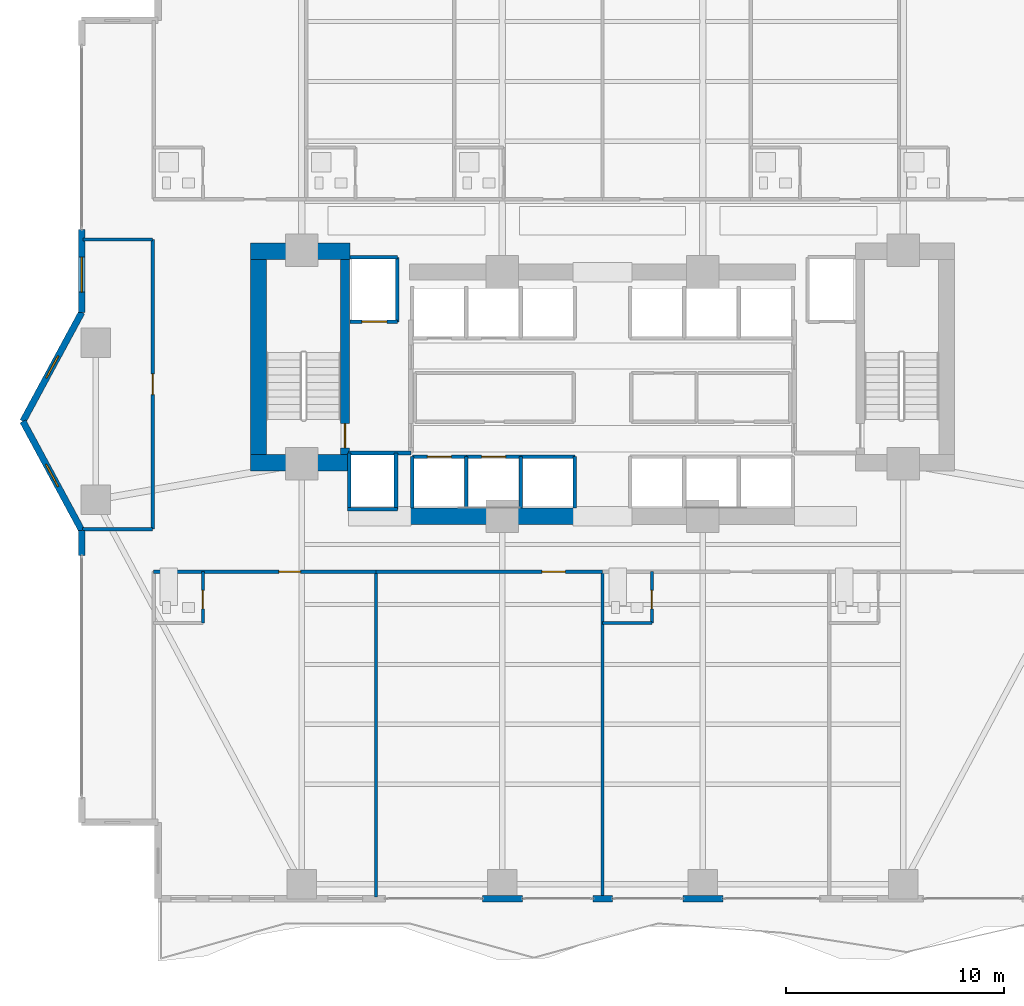
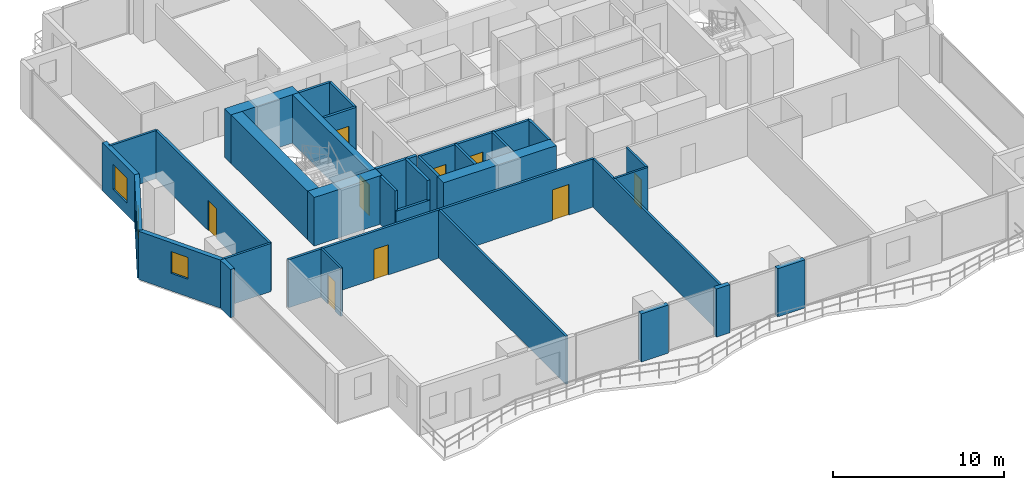
# One storey, part 21 of 30: 36 walls, 9 doors, 3 windows, 12 openings.
"""IFC4 building model written with IfcOpenShell, lengths in metres."""

from ifc_helpers import new_model, si_unit, direction, frame, frame_2d, origin, place, context, subcontext, project, spatial, rectangle, extrude, material, layer, layer_set, type_object, element, fill, save


model = new_model("IFC4")

# Units and contexts
model_context = context("Model", 3, precision=1e-05, world=origin(), true_north=direction((0.0, 1.0)))
body_context = subcontext(model_context, "Body", "Model", "MODEL_VIEW")
ifc_project = project(units=[si_unit("LENGTHUNIT", "METRE"), si_unit("AREAUNIT", "SQUARE_METRE"), si_unit("VOLUMEUNIT", "CUBIC_METRE"), si_unit("PLANEANGLEUNIT", "RADIAN"), si_unit("MASSUNIT", "GRAM", prefix="KILO")], contexts=[model_context])

# Site, building, storey
site_placement = place(None, origin())
site = spatial("IfcSite", under=ifc_project, at=site_placement, CompositionType="ELEMENT")
building_placement = place(site_placement, origin())
building = spatial("IfcBuilding", under=site, at=building_placement, Name="Zuhayl Quay Hotel", CompositionType="ELEMENT")
storey_placement = place(building_placement, frame((0.0, 0.0, 135.800048828125)))
storey = spatial("IfcBuildingStorey", under=building, at=storey_placement, Name="L34", CompositionType="ELEMENT", Elevation=135.800048828125)

# Walls
ifc_material_1 = material(Name="Concrete C60/75", Category="concrete")
ifc_layer_1 = layer(ifc_material_1, 0.75, Name="Concrete C60/75", Category="concrete")
ifc_layer_set_1 = layer_set([ifc_layer_1], Name="Concrete C60/75")
wall_type_1 = type_object("IfcWallType", Name="WL_CORE_750", PredefinedType="SHEAR", material=ifc_layer_set_1)
wall_1_placement = place(storey_placement, frame((-16.159912109375, 14.304931640625, 0.0), z_axis=(0.0, 0.0, 1.0), x_axis=(1.0, 0.0, 0.0)))
element("IfcWall", 1, at=wall_1_placement, inside=storey, type_object=wall_type_1, Name="L34 Core Shear Wall CW_NW", PredefinedType="SHEAR", context=body_context, shape_type="SweptSolid", body=[
    extrude(rectangle(XDim=4.559814453125, YDim=0.75, at=frame_2d((2.27978515625, 0.0))), origin(), (0.0, 0.0, 1.0), 3.4599609375),
])
wall_2_placement = place(storey_placement, frame((-15.784912109375, 4.969970703125, 0.0), z_axis=(0.0, 0.0, 1.0), x_axis=(0.0, 1.0, 0.0)))
element("IfcWall", 2, at=wall_2_placement, inside=storey, type_object=wall_type_1, Name="L34 Core Shear Wall CW_W", PredefinedType="SHEAR", context=body_context, shape_type="SweptSolid", body=[
    extrude(rectangle(XDim=8.9599609375, YDim=0.75, at=frame_2d((4.47998046875, 0.0))), origin(), (0.0, 0.0, 1.0), 3.4599609375),
])
wall_3_placement = place(storey_placement, frame((-16.159912109375, 4.594970703125, 0.0), z_axis=(0.0, 0.0, 1.0), x_axis=(1.0, 0.0, 0.0)))
element("IfcWall", 3, at=wall_3_placement, inside=storey, type_object=wall_type_1, Name="L34 Core Shear Wall CW_SW", PredefinedType="SHEAR", context=body_context, shape_type="SweptSolid", body=[
    extrude(rectangle(XDim=4.559814453125, YDim=0.75, at=frame_2d((2.27978515625, 0.0))), origin(), (0.0, 0.0, 1.0), 3.4599609375),
])
wall_4_placement = place(storey_placement, frame((-8.85009765625, 2.14990234375, 0.0), z_axis=(0.0, 0.0, 1.0), x_axis=(1.0, 0.0, 0.0)))
element("IfcWall", 4, at=wall_4_placement, inside=storey, type_object=wall_type_1, Name="L34 Core Shear Wall CW_SC_W", PredefinedType="SHEAR", context=body_context, shape_type="SweptSolid", body=[
    extrude(rectangle(XDim=7.60009765625, YDim=0.75, at=frame_2d((3.800048828125, 0.0))), origin(), (0.0, 0.0, 1.0), 3.429931640625),
])
ifc_material_2 = material(Name="Precast concrete C45/55", Category="concrete")
ifc_layer_2 = layer(ifc_material_2, 0.300048828125, Name="Precast concrete C45/55", Category="concrete")
ifc_layer_set_2 = layer_set([ifc_layer_2], Name="Precast concrete C45/55")
wall_type_2 = type_object("IfcWallType", Name="WL_EXT_300", PredefinedType="STANDARD", material=ifc_layer_set_2)
wall_5_placement = place(storey_placement, frame((-23.89990234375, 0.35009765625, 0.0), z_axis=(0.0, 0.0, 1.0), x_axis=(0.0, 1.0, 0.0)))
element("IfcWall", 5, at=wall_5_placement, inside=storey, type_object=wall_type_2, Name="L34 Exterior Precast Wall ENV_L34_E02_EW2", PredefinedType="STANDARD", context=body_context, shape_type="SweptSolid", body=[
    extrude(rectangle(XDim=1.14990234375, YDim=0.300048828125, at=frame_2d((0.574951171875, 0.0))), origin(), (0.0, 0.0, 1.0), 3.429931640625),
])

# Wall, opening, window
wall_6_placement = place(storey_placement, frame((-23.89990234375, 1.5, 0.0), z_axis=(0.0, 0.0, 1.0), x_axis=(-0.475175525499, 0.879891027325, 0.0)))
wall_6 = element("IfcWall", 6, at=wall_6_placement, inside=storey, type_object=wall_type_2, Name="L34 Exterior Precast Wall ENV_L34_EW03", PredefinedType="STANDARD", context=body_context, shape_type="SweptSolid", body=[
    extrude(rectangle(XDim=5.6826171875, YDim=0.300048828125, at=frame_2d((2.84130859375, 0.0))), origin(), (0.0, 0.0, 1.0), 3.429931640625),
])
opening_1_placement = place(wall_6_placement, frame((2.290283203125, 0.0, 1.25)))
opening_1 = element("IfcOpeningElement", 7, at=opening_1_placement, cuts=wall_6, Name="Opening W01N", PredefinedType="OPENING", context=body_context, shape_type="SweptSolid", body=[
    extrude(rectangle(XDim=1.14990234375, YDim=1.550048828125, at=frame_2d((0.574951171875, 0.77490234375))), frame((0.0, 0.159912109375, 0.0), z_axis=(0.0, -1.0, 0.0), x_axis=(1.0, 0.0, 0.0)), (0.0, 0.0, 1.0), 0.320068359375),
])
ifc_material_3 = material(Name="Dark Ceramic-Fritted Solar Glass", Category="glass")
window_type_1 = type_object("IfcWindowType", Name="WN_NOTCH_1350", PartitioningType="SINGLE_PANEL", PredefinedType="WINDOW", material=ifc_material_3)
window_1_placement = place(opening_1_placement, origin())
window_1 = element("IfcWindow", 8, at=window_1_placement, inside=storey, type_object=window_type_1, Name="L34 Corner Notch Window 3", OverallHeight=1.550048828125, OverallWidth=1.14990234375, PartitioningType="SINGLE_PANEL", PredefinedType="WINDOW", context=body_context, shape_type="SweptSolid", body=[
    extrude(rectangle(XDim=1.14990234375, YDim=1.550048828125, at=frame_2d((0.574951171875, 0.77490234375))), frame((0.0, 0.030029296875, 0.0), z_axis=(0.0, -1.0, 0.0), x_axis=(1.0, 0.0, 0.0)), (0.0, 0.0, 1.0), 0.06005859375),
])
fill(opening_1, window_1)

wall_7_placement = place(storey_placement, frame((-26.60009765625, 6.5, 0.0), z_axis=(0.0, 0.0, 1.0), x_axis=(0.475175525499, 0.879891027325, 0.0)))
wall_7 = element("IfcWall", 9, at=wall_7_placement, inside=storey, type_object=wall_type_2, Name="L34 Exterior Precast Wall ENV_L34_EW04", PredefinedType="STANDARD", context=body_context, shape_type="SweptSolid", body=[
    extrude(rectangle(XDim=5.6826171875, YDim=0.300048828125, at=frame_2d((2.84130859375, 0.0))), origin(), (0.0, 0.0, 1.0), 3.429931640625),
])
opening_2_placement = place(wall_7_placement, frame((2.26611328125, 0.0, 1.25)))
opening_2 = element("IfcOpeningElement", 10, at=opening_2_placement, cuts=wall_7, Name="Opening W01N", PredefinedType="OPENING", context=body_context, shape_type="SweptSolid", body=[
    extrude(rectangle(XDim=1.14990234375, YDim=1.550048828125, at=frame_2d((0.574951171875, 0.77490234375))), frame((0.0, 0.159912109375, 0.0), z_axis=(0.0, -1.0, 0.0), x_axis=(1.0, 0.0, 0.0)), (0.0, 0.0, 1.0), 0.320068359375),
])
window_2_placement = place(opening_2_placement, origin())
window_2 = element("IfcWindow", 11, at=window_2_placement, inside=storey, type_object=window_type_1, Name="L34 Corner Notch Window 4", OverallHeight=1.550048828125, OverallWidth=1.14990234375, PartitioningType="SINGLE_PANEL", PredefinedType="WINDOW", context=body_context, shape_type="SweptSolid", body=[
    extrude(rectangle(XDim=1.14990234375, YDim=1.550048828125, at=frame_2d((0.574951171875, 0.77490234375))), frame((0.0, 0.030029296875, 0.0), z_axis=(0.0, -1.0, 0.0), x_axis=(1.0, 0.0, 0.0)), (0.0, 0.0, 1.0), 0.06005859375),
])
fill(opening_2, window_2)

wall_8_placement = place(storey_placement, frame((-23.89990234375, 11.5, 0.0), z_axis=(0.0, 0.0, 1.0), x_axis=(0.0, 1.0, 0.0)))
wall_8 = element("IfcWall", 12, at=wall_8_placement, inside=storey, type_object=wall_type_2, Name="L34 Exterior Precast Wall ENV_L34_E05_EW1", PredefinedType="STANDARD", context=body_context, shape_type="SweptSolid", body=[
    extrude(rectangle(XDim=3.800048828125, YDim=0.300048828125, at=frame_2d((1.89990234375, 0.0))), origin(), (0.0, 0.0, 1.0), 3.429931640625),
])
opening_3_placement = place(wall_8_placement, frame((0.93505859375, 0.0, 0.85009765625)))
opening_3 = element("IfcOpeningElement", 13, at=opening_3_placement, cuts=wall_8, Name="Opening W01", PredefinedType="OPENING", context=body_context, shape_type="SweptSolid", body=[
    extrude(rectangle(XDim=1.60009765625, YDim=1.800048828125, at=frame_2d((0.800048828125, 0.89990234375))), frame((0.0, 0.159912109375, 0.0), z_axis=(0.0, -1.0, 0.0), x_axis=(1.0, 0.0, 0.0)), (0.0, 0.0, 1.0), 0.320068359375),
])
window_type_2 = type_object("IfcWindowType", Name="WN_OPERABLE_1600", PartitioningType="DOUBLE_PANEL_VERTICAL", PredefinedType="WINDOW", material=ifc_material_3)
window_3_placement = place(opening_3_placement, origin())
window_3 = element("IfcWindow", 14, at=window_3_placement, inside=storey, type_object=window_type_2, Name="L34 Operable Facade Window 1-1", OverallHeight=1.800048828125, OverallWidth=1.60009765625, PartitioningType="SINGLE_PANEL", PredefinedType="WINDOW", context=body_context, shape_type="SweptSolid", body=[
    extrude(rectangle(XDim=1.60009765625, YDim=1.800048828125, at=frame_2d((0.800048828125, 0.89990234375))), frame((0.0, 0.030029296875, 0.0), z_axis=(0.0, -1.0, 0.0), x_axis=(1.0, 0.0, 0.0)), (0.0, 0.0, 1.0), 0.06005859375),
])
fill(opening_3, window_3)

# Walls
wall_9_placement = place(storey_placement, frame((5.52001953125, -15.39990234375, 0.0), z_axis=(0.0, 0.0, 1.0), x_axis=(-1.0, 0.0, 0.0)))
element("IfcWall", 15, at=wall_9_placement, inside=storey, type_object=wall_type_2, Name="L34 Exterior Precast Wall ENV_L34_S_EW3", PredefinedType="STANDARD", context=body_context, shape_type="SweptSolid", body=[
    extrude(rectangle(XDim=1.840087890625, YDim=0.300048828125, at=frame_2d((0.919921875, 0.0))), origin(), (0.0, 0.0, 1.0), 3.429931640625),
])
wall_10_placement = place(storey_placement, frame((0.449951171875, -15.39990234375, 0.0), z_axis=(0.0, 0.0, 1.0), x_axis=(-1.0, 0.0, 0.0)))
element("IfcWall", 16, at=wall_10_placement, inside=storey, type_object=wall_type_2, Name="L34 Exterior Precast Wall ENV_L34_S_EW4", PredefinedType="STANDARD", context=body_context, shape_type="SweptSolid", body=[
    extrude(rectangle(XDim=0.89990234375, YDim=0.300048828125, at=frame_2d((0.449951171875, 0.0))), origin(), (0.0, 0.0, 1.0), 3.429931640625),
])
wall_11_placement = place(storey_placement, frame((-3.679931640625, -15.39990234375, 0.0), z_axis=(0.0, 0.0, 1.0), x_axis=(-1.0, 0.0, 0.0)))
element("IfcWall", 17, at=wall_11_placement, inside=storey, type_object=wall_type_2, Name="L34 Exterior Precast Wall ENV_L34_S_EW5", PredefinedType="STANDARD", context=body_context, shape_type="SweptSolid", body=[
    extrude(rectangle(XDim=1.840087890625, YDim=0.300048828125, at=frame_2d((0.919921875, 0.0))), origin(), (0.0, 0.0, 1.0), 3.429931640625),
])
ifc_material_4 = material(Name="Acoustic Gypsum Partition STC-58")
ifc_layer_3 = layer(ifc_material_4, 0.14990234375, Name="Acoustic Gypsum Partition STC-58")
ifc_layer_set_3 = layer_set([ifc_layer_3], Name="Acoustic Gypsum Partition STC-58")
wall_type_3 = type_object("IfcWallType", Name="WL_PART_150", PredefinedType="PARTITIONING", material=ifc_layer_set_3)
wall_12_placement = place(storey_placement, frame((-10.39990234375, -15.320068359375, 0.0), z_axis=(0.0, 0.0, 1.0), x_axis=(0.0, 1.0, 0.0)))
element("IfcWall", 18, at=wall_12_placement, inside=storey, type_object=wall_type_3, Name="L34 Partition IW_L34_SU01_E", PredefinedType="PARTITIONING", context=body_context, shape_type="SweptSolid", body=[
    extrude(rectangle(XDim=14.920166015625, YDim=0.14990234375, at=frame_2d((7.4599609375, 0.0))), origin(), (0.0, 0.0, 1.0), 3.429931640625),
])
wall_13_placement = place(storey_placement, frame((0.0, -15.340087890625, 0.0), z_axis=(0.0, 0.0, 1.0), x_axis=(0.0, 1.0, 0.0)))
element("IfcWall", 19, at=wall_13_placement, inside=storey, type_object=wall_type_3, Name="L34 Partition IW_L34_SSAL_1_E", PredefinedType="PARTITIONING", context=body_context, shape_type="SweptSolid", body=[
    extrude(rectangle(XDim=14.940185546875, YDim=0.14990234375, at=frame_2d((7.47021484375, 0.0))), origin(), (0.0, 0.0, 1.0), 3.429931640625),
])
wall_14_placement = place(storey_placement, frame((-23.866943359375, 1.550048828125, 0.0), z_axis=(0.0, 0.0, 1.0), x_axis=(1.0, 0.0, 0.0)))
element("IfcWall", 20, at=wall_14_placement, inside=storey, type_object=wall_type_3, Name="L34 Partition IW_L34_WPROW_1_S", PredefinedType="PARTITIONING", context=body_context, shape_type="SweptSolid", body=[
    extrude(rectangle(XDim=3.217041015625, YDim=0.14990234375, at=frame_2d((1.6083984375, 0.0))), origin(), (0.0, 0.0, 1.0), 3.429931640625),
])
wall_15_placement = place(storey_placement, frame((-23.840087890625, 14.85009765625, 0.0), z_axis=(0.0, 0.0, 1.0), x_axis=(1.0, 0.0, 0.0)))
element("IfcWall", 21, at=wall_15_placement, inside=storey, type_object=wall_type_3, Name="L34 Partition IW_L34_WPROW_1_N", PredefinedType="PARTITIONING", context=body_context, shape_type="SweptSolid", body=[
    extrude(rectangle(XDim=3.190185546875, YDim=0.14990234375, at=frame_2d((1.59521484375, 0.0))), origin(), (0.0, 0.0, 1.0), 3.429931640625),
])

# Wall, opening, door
ifc_layer_4 = layer(ifc_material_4, 0.159912109375, Name="Acoustic Gypsum Partition STC-58")
ifc_layer_set_4 = layer_set([ifc_layer_4], Name="Acoustic Gypsum Partition STC-58")
wall_type_4 = type_object("IfcWallType", Name="WL_PART_CORR_160", PredefinedType="PARTITIONING", material=ifc_layer_set_4)
wall_16_placement = place(storey_placement, frame((-20.60009765625, -0.39990234375, 0.0), z_axis=(0.0, 0.0, 1.0), x_axis=(1.0, 0.0, 0.0)))
wall_16 = element("IfcWall", 22, at=wall_16_placement, inside=storey, type_object=wall_type_4, Name="L34 Partition IW_L34_SU01_COR", PredefinedType="PARTITIONING", context=body_context, shape_type="SweptSolid", body=[
    extrude(rectangle(XDim=10.2001953125, YDim=0.159912109375, at=frame_2d((5.10009765625, 0.0))), origin(), (0.0, 0.0, 1.0), 3.429931640625),
])
opening_4_placement = place(wall_16_placement, frame((5.75, 0.0, 0.0)))
opening_4 = element("IfcOpeningElement", 23, at=opening_4_placement, cuts=wall_16, Name="Opening D03L", PredefinedType="OPENING", context=body_context, shape_type="SweptSolid", body=[
    extrude(rectangle(XDim=1.0, YDim=2.14990234375, at=frame_2d((0.5, 1.074951171875))), frame((0.0, 0.08984375, 0.0), z_axis=(0.0, -1.0, 0.0), x_axis=(1.0, 0.0, 0.0)), (0.0, 0.0, 1.0), 0.179931640625),
])
ifc_material_5 = material(Name="Solid Walnut Acoustic Fire Door")
door_type_1 = type_object("IfcDoorType", Name="DR_SUITE_1000", OperationType="NOTDEFINED", PredefinedType="DOOR", material=ifc_material_5)
door_1_placement = place(opening_4_placement, origin())
door_1 = element("IfcDoor", 24, at=door_1_placement, inside=storey, type_object=door_type_1, Name="L34 City-View Junior Suite L34-01 Entrance Door", OperationType="SINGLE_SWING_LEFT", OverallHeight=2.14990234375, OverallWidth=1.0, PredefinedType="DOOR", context=body_context, shape_type="SweptSolid", body=[
    extrude(rectangle(XDim=1.0, YDim=2.14990234375, at=frame_2d((0.5, 1.074951171875))), frame((0.0, 0.02490234375, 0.0), z_axis=(0.0, -1.0, 0.0), x_axis=(1.0, 0.0, 0.0)), (0.0, 0.0, 1.0), 0.050048828125),
])
fill(opening_4, door_1)

wall_17_placement = place(storey_placement, frame((-10.39990234375, -0.39990234375, 0.0), z_axis=(0.0, 0.0, 1.0), x_axis=(1.0, 0.0, 0.0)))
wall_17 = element("IfcWall", 25, at=wall_17_placement, inside=storey, type_object=wall_type_4, Name="L34 Partition IW_L34_SSAL_1_N", PredefinedType="PARTITIONING", context=body_context, shape_type="SweptSolid", body=[
    extrude(rectangle(XDim=10.39990234375, YDim=0.159912109375, at=frame_2d((5.199951171875, 0.0))), origin(), (0.0, 0.0, 1.0), 3.429931640625),
])
opening_5_placement = place(wall_17_placement, frame((7.610107421875, 0.0, 0.0)))
opening_5 = element("IfcOpeningElement", 26, at=opening_5_placement, cuts=wall_17, Name="Opening D05A", PredefinedType="OPENING", context=body_context, shape_type="SweptSolid", body=[
    extrude(rectangle(XDim=1.080078125, YDim=2.179931640625, at=frame_2d((0.5400390625, 1.08984375))), frame((0.0, 0.08984375, 0.0), z_axis=(0.0, -1.0, 0.0), x_axis=(1.0, 0.0, 0.0)), (0.0, 0.0, 1.0), 0.179931640625),
])
door_type_2 = type_object("IfcDoorType", Name="DR_INT_1100", OperationType="NOTDEFINED", PredefinedType="DOOR", material=ifc_material_5)
door_2_placement = place(opening_5_placement, origin())
door_2 = element("IfcDoor", 27, at=door_2_placement, inside=storey, type_object=door_type_2, Name="L34 South Sunset Salon L34 Door", OperationType="SINGLE_SWING_RIGHT", OverallHeight=2.179931640625, OverallWidth=1.080078125, PredefinedType="DOOR", context=body_context, shape_type="SweptSolid", body=[
    extrude(rectangle(XDim=1.080078125, YDim=2.179931640625, at=frame_2d((0.5400390625, 1.08984375))), frame((0.0, 0.02490234375, 0.0), z_axis=(0.0, -1.0, 0.0), x_axis=(1.0, 0.0, 0.0)), (0.0, 0.0, 1.0), 0.050048828125),
])
fill(opening_5, door_2)

wall_18_placement = place(storey_placement, frame((-20.64990234375, 1.550048828125, 0.0), z_axis=(0.0, 0.0, 1.0), x_axis=(0.0, 1.0, 0.0)))
wall_18 = element("IfcWall", 28, at=wall_18_placement, inside=storey, type_object=wall_type_4, Name="L34 Partition IW_L34_WPROW_1_E", PredefinedType="PARTITIONING", context=body_context, shape_type="SweptSolid", body=[
    extrude(rectangle(XDim=13.300048828125, YDim=0.159912109375, at=frame_2d((6.64990234375, 0.0))), origin(), (0.0, 0.0, 1.0), 3.429931640625),
])
opening_6_placement = place(wall_18_placement, frame((6.175048828125, 0.0, 0.0)))
opening_6 = element("IfcOpeningElement", 29, at=opening_6_placement, cuts=wall_18, Name="Opening D03", PredefinedType="OPENING", context=body_context, shape_type="SweptSolid", body=[
    extrude(rectangle(XDim=0.949951171875, YDim=2.14990234375, at=frame_2d((0.47509765625, 1.074951171875))), frame((0.0, 0.08984375, 0.0), z_axis=(0.0, -1.0, 0.0), x_axis=(1.0, 0.0, 0.0)), (0.0, 0.0, 1.0), 0.179931640625),
])
door_type_3 = type_object("IfcDoorType", Name="DR_SUITE_950", OperationType="NOTDEFINED", PredefinedType="DOOR", material=ifc_material_5)
door_3_placement = place(opening_6_placement, origin())
door_3 = element("IfcDoor", 30, at=door_3_placement, inside=storey, type_object=door_type_3, Name="L34 West Prow Panoramic Salon L34 Door", OperationType="SINGLE_SWING_LEFT", OverallHeight=2.14990234375, OverallWidth=0.949951171875, PredefinedType="DOOR", context=body_context, shape_type="SweptSolid", body=[
    extrude(rectangle(XDim=0.949951171875, YDim=2.14990234375, at=frame_2d((0.47509765625, 1.074951171875))), frame((0.0, 0.02490234375, 0.0), z_axis=(0.0, -1.0, 0.0), x_axis=(1.0, 0.0, 0.0)), (0.0, 0.0, 1.0), 0.050048828125),
])
fill(opening_6, door_3)

ifc_material_6 = material(Name="Moisture-Resistant Sanitarychase Gypsum")
ifc_layer_5 = layer(ifc_material_6, 0.135009765625, Name="Moisture-Resistant Sanitarychase Gypsum")
ifc_layer_set_5 = layer_set([ifc_layer_5], Name="Moisture-Resistant Sanitarychase Gypsum")
wall_type_5 = type_object("IfcWallType", Name="WL_PART_PLUMB_150", PredefinedType="PLUMBINGWALL", material=ifc_layer_set_5)
wall_19_placement = place(storey_placement, frame((-18.340087890625, -2.760009765625, 0.0), z_axis=(0.0, 0.0, 1.0), x_axis=(0.0, 1.0, 0.0)))
wall_19 = element("IfcWall", 31, at=wall_19_placement, inside=storey, type_object=wall_type_5, Name="L34 Partition IW_L34_SU01_BE", PredefinedType="PLUMBINGWALL", context=body_context, shape_type="SweptSolid", body=[
    extrude(rectangle(XDim=2.360107421875, YDim=0.135009765625, at=frame_2d((1.18017578125, 0.0))), origin(), (0.0, 0.0, 1.0), 3.429931640625),
])
opening_7_placement = place(wall_19_placement, frame((0.64990234375, 0.0, 0.0)))
opening_7 = element("IfcOpeningElement", 32, at=opening_7_placement, cuts=wall_19, Name="Opening D04", PredefinedType="OPENING", context=body_context, shape_type="SweptSolid", body=[
    extrude(rectangle(XDim=0.85009765625, YDim=2.10009765625, at=frame_2d((0.425048828125, 1.050048828125))), frame((0.0, 0.077392578125, 0.0), z_axis=(0.0, -1.0, 0.0), x_axis=(1.0, 0.0, 0.0)), (0.0, 0.0, 1.0), 0.155029296875),
])
ifc_material_7 = material(Name="Moisture-Resistant Walnut Veneer")
door_type_4 = type_object("IfcDoorType", Name="DR_BATH_850", OperationType="NOTDEFINED", PredefinedType="DOOR", material=ifc_material_7)
door_4_placement = place(opening_7_placement, origin())
door_4 = element("IfcDoor", 33, at=door_4_placement, inside=storey, type_object=door_type_4, Name="L34 City-View Junior Suite L34-01 En-Suite Door", OperationType="SINGLE_SWING_RIGHT", OverallHeight=2.10009765625, OverallWidth=0.85009765625, PredefinedType="DOOR", context=body_context, shape_type="SweptSolid", body=[
    extrude(rectangle(XDim=0.85009765625, YDim=2.10009765625, at=frame_2d((0.425048828125, 1.050048828125))), frame((0.0, 0.02490234375, 0.0), z_axis=(0.0, -1.0, 0.0), x_axis=(1.0, 0.0, 0.0)), (0.0, 0.0, 1.0), 0.050048828125),
])
fill(opening_7, door_4)

wall_20_placement = place(storey_placement, frame((2.260009765625, -2.760009765625, 0.0), z_axis=(0.0, 0.0, 1.0), x_axis=(0.0, 1.0, 0.0)))
wall_20 = element("IfcWall", 34, at=wall_20_placement, inside=storey, type_object=wall_type_5, Name="L34 Partition IW_L34_SU03_BE", PredefinedType="PLUMBINGWALL", context=body_context, shape_type="SweptSolid", body=[
    extrude(rectangle(XDim=2.360107421875, YDim=0.135009765625, at=frame_2d((1.18017578125, 0.0))), origin(), (0.0, 0.0, 1.0), 3.429931640625),
])
opening_8_placement = place(wall_20_placement, frame((0.64990234375, 0.0, 0.0)))
opening_8 = element("IfcOpeningElement", 35, at=opening_8_placement, cuts=wall_20, Name="Opening D04", PredefinedType="OPENING", context=body_context, shape_type="SweptSolid", body=[
    extrude(rectangle(XDim=0.85009765625, YDim=2.10009765625, at=frame_2d((0.425048828125, 1.050048828125))), frame((0.0, 0.077392578125, 0.0), z_axis=(0.0, -1.0, 0.0), x_axis=(1.0, 0.0, 0.0)), (0.0, 0.0, 1.0), 0.155029296875),
])
door_5_placement = place(opening_8_placement, origin())
door_5 = element("IfcDoor", 36, at=door_5_placement, inside=storey, type_object=door_type_4, Name="L34 City-View Junior Suite L34-03 En-Suite Door", OperationType="SINGLE_SWING_LEFT", OverallHeight=2.10009765625, OverallWidth=0.85009765625, PredefinedType="DOOR", context=body_context, shape_type="SweptSolid", body=[
    extrude(rectangle(XDim=0.85009765625, YDim=2.10009765625, at=frame_2d((0.425048828125, 1.050048828125))), frame((0.0, 0.02490234375, 0.0), z_axis=(0.0, -1.0, 0.0), x_axis=(1.0, 0.0, 0.0)), (0.0, 0.0, 1.0), 0.050048828125),
])
fill(opening_8, door_5)

# Wall
wall_21_placement = place(storey_placement, frame((0.0, -2.760009765625, 0.0), z_axis=(0.0, 0.0, 1.0), x_axis=(1.0, 0.0, 0.0)))
element("IfcWall", 37, at=wall_21_placement, inside=storey, type_object=wall_type_5, Name="L34 Partition IW_L34_SU03_BS", PredefinedType="PLUMBINGWALL", context=body_context, shape_type="SweptSolid", body=[
    extrude(rectangle(XDim=2.260009765625, YDim=0.135009765625, at=frame_2d((1.1298828125, 0.0))), origin(), (0.0, 0.0, 1.0), 3.429931640625),
])

# Wall, opening, door
ifc_material_8 = material(Name="Gypsum Fireboard Assembly EI-90")
ifc_layer_6 = layer(ifc_material_8, 0.1650390625, Name="Gypsum Fireboard Assembly EI-90")
ifc_layer_set_6 = layer_set([ifc_layer_6], Name="Gypsum Fireboard Assembly EI-90")
wall_type_6 = type_object("IfcWallType", Name="WL_PART_SHAFT_160", PredefinedType="PARTITIONING", material=ifc_layer_set_6)
wall_22_placement = place(storey_placement, frame((-11.580078125, 11.070068359375, 0.0), z_axis=(0.0, 0.0, 1.0), x_axis=(1.0, 0.0, 0.0)))
wall_22 = element("IfcWall", 38, at=wall_22_placement, inside=storey, type_object=wall_type_6, Name="L34 Partition IW_L34_SH_FL1_F", PredefinedType="PARTITIONING", context=body_context, shape_type="SweptSolid", body=[
    extrude(rectangle(XDim=2.16015625, YDim=0.1650390625, at=frame_2d((1.080078125, 0.0))), origin(), (0.0, 0.0, 1.0), 3.429931640625),
])
opening_9_placement = place(wall_22_placement, frame((0.530029296875, 0.0, 0.0)))
opening_9 = element("IfcOpeningElement", 39, at=opening_9_placement, cuts=wall_22, Name="Opening LD2", PredefinedType="OPENING", context=body_context, shape_type="SweptSolid", body=[
    extrude(rectangle(XDim=1.14990234375, YDim=2.25, at=frame_2d((0.574951171875, 1.125))), frame((0.0, 0.092529296875, 0.0), z_axis=(0.0, -1.0, 0.0), x_axis=(1.0, 0.0, 0.0)), (0.0, 0.0, 1.0), 0.18505859375),
])
ifc_material_9 = material(Name="Brushed Stainless Steel", Category="steel")
door_type_5 = type_object("IfcDoorType", Name="DR_LIFT_FF_1100", OperationType="SLIDING_TO_LEFT", PredefinedType="DOOR", material=ifc_material_9)
door_6_placement = place(opening_9_placement, origin())
door_6 = element("IfcDoor", 40, at=door_6_placement, inside=storey, type_object=door_type_5, Name="L34 Lift FL1 Sliding Landing Door", OperationType="SLIDING_TO_LEFT", OverallHeight=2.25, OverallWidth=1.14990234375, PredefinedType="DOOR", context=body_context, shape_type="SweptSolid", body=[
    extrude(rectangle(XDim=1.14990234375, YDim=2.25, at=frame_2d((0.574951171875, 1.125))), frame((0.0, 0.02490234375, 0.0), z_axis=(0.0, -1.0, 0.0), x_axis=(1.0, 0.0, 0.0)), (0.0, 0.0, 1.0), 0.050048828125),
])
fill(opening_9, door_6)

wall_23_placement = place(storey_placement, frame((-8.72998046875, 4.8798828125, 0.0), z_axis=(0.0, 0.0, 1.0), x_axis=(1.0, 0.0, 0.0)))
wall_23 = element("IfcWall", 41, at=wall_23_placement, inside=storey, type_object=wall_type_6, Name="L34 Partition IW_L34_SH_LP1_F", PredefinedType="PARTITIONING", context=body_context, shape_type="SweptSolid", body=[
    extrude(rectangle(XDim=2.47998046875, YDim=0.1650390625, at=frame_2d((1.239990234375, 0.0))), origin(), (0.0, 0.0, 1.0), 3.429931640625),
])
opening_10_placement = place(wall_23_placement, frame((0.68994140625, 0.0, 0.0)))
opening_10 = element("IfcOpeningElement", 42, at=opening_10_placement, cuts=wall_23, Name="Opening LD1", PredefinedType="OPENING", context=body_context, shape_type="SweptSolid", body=[
    extrude(rectangle(XDim=1.10009765625, YDim=2.25, at=frame_2d((0.550048828125, 1.125))), frame((0.0, 0.092529296875, 0.0), z_axis=(0.0, -1.0, 0.0), x_axis=(1.0, 0.0, 0.0)), (0.0, 0.0, 1.0), 0.18505859375),
])
door_type_6 = type_object("IfcDoorType", Name="DR_LIFT_PASS_1100", OperationType="SLIDING_TO_LEFT", PredefinedType="DOOR", material=ifc_material_9)
door_7_placement = place(opening_10_placement, origin())
door_7 = element("IfcDoor", 43, at=door_7_placement, inside=storey, type_object=door_type_6, Name="L34 Lift LP1 Sliding Landing Door", OperationType="SLIDING_TO_LEFT", OverallHeight=2.25, OverallWidth=1.10009765625, PredefinedType="DOOR", context=body_context, shape_type="SweptSolid", body=[
    extrude(rectangle(XDim=1.10009765625, YDim=2.25, at=frame_2d((0.550048828125, 1.125))), frame((0.0, 0.02490234375, 0.0), z_axis=(0.0, -1.0, 0.0), x_axis=(1.0, 0.0, 0.0)), (0.0, 0.0, 1.0), 0.050048828125),
])
fill(opening_10, door_7)

wall_24_placement = place(storey_placement, frame((-6.25, 4.8798828125, 0.0), z_axis=(0.0, 0.0, 1.0), x_axis=(1.0, 0.0, 0.0)))
wall_24 = element("IfcWall", 44, at=wall_24_placement, inside=storey, type_object=wall_type_6, Name="L34 Partition IW_L34_SH_LP2_F", PredefinedType="PARTITIONING", context=body_context, shape_type="SweptSolid", body=[
    extrude(rectangle(XDim=2.5, YDim=0.1650390625, at=frame_2d((1.25, 0.0))), origin(), (0.0, 0.0, 1.0), 3.429931640625),
])
opening_11_placement = place(wall_24_placement, frame((0.699951171875, 0.0, 0.0)))
opening_11 = element("IfcOpeningElement", 45, at=opening_11_placement, cuts=wall_24, Name="Opening LD1", PredefinedType="OPENING", context=body_context, shape_type="SweptSolid", body=[
    extrude(rectangle(XDim=1.10009765625, YDim=2.25, at=frame_2d((0.550048828125, 1.125))), frame((0.0, 0.092529296875, 0.0), z_axis=(0.0, -1.0, 0.0), x_axis=(1.0, 0.0, 0.0)), (0.0, 0.0, 1.0), 0.18505859375),
])
door_8_placement = place(opening_11_placement, origin())
door_8 = element("IfcDoor", 46, at=door_8_placement, inside=storey, type_object=door_type_6, Name="L34 Lift LP2 Sliding Landing Door", OperationType="SLIDING_TO_LEFT", OverallHeight=2.25, OverallWidth=1.10009765625, PredefinedType="DOOR", context=body_context, shape_type="SweptSolid", body=[
    extrude(rectangle(XDim=1.10009765625, YDim=2.25, at=frame_2d((0.550048828125, 1.125))), frame((0.0, 0.02490234375, 0.0), z_axis=(0.0, -1.0, 0.0), x_axis=(1.0, 0.0, 0.0)), (0.0, 0.0, 1.0), 0.050048828125),
])
fill(opening_11, door_8)

# Walls
wall_25_placement = place(storey_placement, frame((-9.419921875, 11.070068359375, 0.0), z_axis=(0.0, 0.0, 1.0), x_axis=(0.0, 1.0, 0.0)))
element("IfcWall", 47, at=wall_25_placement, inside=storey, type_object=wall_type_6, Name="L34 Partition IW_L34_SH_FL1_E", PredefinedType="PARTITIONING", context=body_context, shape_type="SweptSolid", body=[
    extrude(rectangle(XDim=2.9599609375, YDim=0.1650390625, at=frame_2d((1.47998046875, 0.0))), origin(), (0.0, 0.0, 1.0), 3.429931640625),
])
wall_26_placement = place(storey_placement, frame((-11.580078125, 14.030029296875, 0.0), z_axis=(0.0, 0.0, 1.0), x_axis=(1.0, 0.0, 0.0)))
element("IfcWall", 48, at=wall_26_placement, inside=storey, type_object=wall_type_6, Name="L34 Partition IW_L34_SH_FL1_B", PredefinedType="PARTITIONING", context=body_context, shape_type="SweptSolid", body=[
    extrude(rectangle(XDim=2.16015625, YDim=0.1650390625, at=frame_2d((1.080078125, 0.0))), origin(), (0.0, 0.0, 1.0), 3.429931640625),
])
for number, where, z_axis, x_axis, name in (
    (49, (-8.72998046875, 2.52001953125, 0.0), (0.0, 0.0, 1.0), (0.0, 1.0, 0.0), "L34 Partition IW_L34_SH_LP1_W"),
    (50, (-6.25, 2.52001953125, 0.0), (0.0, 0.0, 1.0), (0.0, 1.0, 0.0), "L34 Partition IW_L34_SH_LP1_E"),
    (51, (-3.75, 2.52001953125, 0.0), (0.0, 0.0, 1.0), (0.0, 1.0, 0.0), "L34 Partition IW_L34_SH_LP2_E"),
):
    element("IfcWall", number, at=place(storey_placement, frame(where, z_axis=z_axis, x_axis=x_axis)), inside=storey, type_object=wall_type_6, Name=name, PredefinedType="PARTITIONING", context=body_context, shape_type="SweptSolid", body=[
        extrude(rectangle(XDim=2.35986328125, YDim=0.1650390625, at=frame_2d((1.179931640625, 0.0))), origin(), (0.0, 0.0, 1.0), 3.429931640625),
    ])
wall_27_placement = place(storey_placement, frame((-3.75, 4.8798828125, 0.0), z_axis=(0.0, 0.0, 1.0), x_axis=(1.0, 0.0, 0.0)))
element("IfcWall", 52, at=wall_27_placement, inside=storey, type_object=wall_type_6, Name="L34 Partition IW_L34_SH_MP1_F", PredefinedType="PARTITIONING", context=body_context, shape_type="SweptSolid", body=[
    extrude(rectangle(XDim=2.47998046875, YDim=0.1650390625, at=frame_2d((1.239990234375, 0.0))), origin(), (0.0, 0.0, 1.0), 3.429931640625),
])
wall_28_placement = place(storey_placement, frame((-1.27001953125, 2.52001953125, 0.0), z_axis=(0.0, 0.0, 1.0), x_axis=(0.0, 1.0, 0.0)))
element("IfcWall", 53, at=wall_28_placement, inside=storey, type_object=wall_type_6, Name="L34 Partition IW_L34_SH_MP1_E", PredefinedType="PARTITIONING", context=body_context, shape_type="SweptSolid", body=[
    extrude(rectangle(XDim=2.35986328125, YDim=0.1650390625, at=frame_2d((1.179931640625, 0.0))), origin(), (0.0, 0.0, 1.0), 3.429931640625),
])
wall_29_placement = place(storey_placement, frame((-11.6298828125, 2.469970703125, 0.0), z_axis=(0.0, 0.0, 1.0), x_axis=(0.0, 1.0, 0.0)))
element("IfcWall", 54, at=wall_29_placement, inside=storey, type_object=wall_type_6, Name="L34 Partition IW_L34_RISER_W", PredefinedType="PARTITIONING", context=body_context, shape_type="SweptSolid", body=[
    extrude(rectangle(XDim=2.580078125, YDim=0.1650390625, at=frame_2d((1.2900390625, 0.0))), origin(), (0.0, 0.0, 1.0), 3.429931640625),
])
wall_30_placement = place(storey_placement, frame((-11.7099609375, 2.469970703125, 0.0), z_axis=(0.0, 0.0, 1.0), x_axis=(1.0, 0.0, 0.0)))
element("IfcWall", 55, at=wall_30_placement, inside=storey, type_object=wall_type_6, Name="L34 Partition IW_L34_RISER_S", PredefinedType="PARTITIONING", context=body_context, shape_type="SweptSolid", body=[
    extrude(rectangle(XDim=2.31005859375, YDim=0.1650390625, at=frame_2d((1.155029296875, 0.0))), origin(), (0.0, 0.0, 1.0), 2.030029296875),
])
ifc_layer_7 = layer(ifc_material_8, 0.179931640625, Name="Gypsum Fireboard Assembly EI-90")
ifc_layer_set_7 = layer_set([ifc_layer_7], Name="Gypsum Fireboard Assembly EI-90")
wall_type_7 = type_object("IfcWallType", Name="WL_PART_SHAFT_180", PredefinedType="PARTITIONING", material=ifc_layer_set_7)
wall_31_placement = place(storey_placement, frame((-9.469970703125, 2.449951171875, 0.0), z_axis=(0.0, 0.0, 1.0), x_axis=(0.0, 1.0, 0.0)))
element("IfcWall", 56, at=wall_31_placement, inside=storey, type_object=wall_type_7, Name="L34 Partition IW_L34_RISER_E", PredefinedType="PARTITIONING", context=body_context, shape_type="SweptSolid", body=[
    extrude(rectangle(XDim=2.60009765625, YDim=0.179931640625, at=frame_2d((1.300048828125, 0.0))), origin(), (0.0, 0.0, 1.0), 3.429931640625),
])
ifc_material_10 = material(Name="Gypsum Fireboard Assembly EI-120")
ifc_layer_8 = layer(ifc_material_10, 0.199951171875, Name="Gypsum Fireboard Assembly EI-120")
ifc_layer_set_8 = layer_set([ifc_layer_8], Name="Gypsum Fireboard Assembly EI-120")
wall_type_8 = type_object("IfcWallType", Name="WL_PART_SHAFT_200", PredefinedType="PARTITIONING", material=ifc_layer_set_8)
wall_32_placement = place(storey_placement, frame((-11.64990234375, 5.050048828125, 0.0), z_axis=(0.0, 0.0, 1.0), x_axis=(1.0, 0.0, 0.0)))
element("IfcWall", 57, at=wall_32_placement, inside=storey, type_object=wall_type_8, Name="L34 Partition IW_L34_FSAE_W_S", PredefinedType="PARTITIONING", context=body_context, shape_type="SweptSolid", body=[
    extrude(rectangle(XDim=2.849853515625, YDim=0.199951171875, at=frame_2d((1.4248046875, 0.0))), origin(), (0.0, 0.0, 1.0), 3.429931640625),
])

# Wall, opening, door
ifc_layer_9 = layer(ifc_material_1, 0.39990234375, Name="Concrete C60/75", Category="concrete")
ifc_layer_set_9 = layer_set([ifc_layer_9], Name="Concrete C60/75")
wall_type_9 = type_object("IfcWallType", Name="WL_STAIR_400", PredefinedType="SHEAR", material=ifc_layer_set_9)
wall_33_placement = place(storey_placement, frame((-11.820068359375, 4.969970703125, 0.0), z_axis=(0.0, 0.0, 1.0), x_axis=(0.0, 1.0, 0.0)))
wall_33 = element("IfcWall", 58, at=wall_33_placement, inside=storey, type_object=wall_type_9, Name="L34 Core Shear Wall SW_ST1", PredefinedType="SHEAR", context=body_context, shape_type="SweptSolid", body=[
    extrude(rectangle(XDim=8.9599609375, YDim=0.39990234375, at=frame_2d((4.47998046875, 0.0))), origin(), (0.0, 0.0, 1.0), 3.4599609375),
])
opening_12_placement = place(wall_33_placement, frame((0.31005859375, 0.0, 0.0)))
opening_12 = element("IfcOpeningElement", 59, at=opening_12_placement, cuts=wall_33, Name="Opening D01", PredefinedType="OPENING", context=body_context, shape_type="SweptSolid", body=[
    extrude(rectangle(XDim=1.1201171875, YDim=2.219970703125, at=frame_2d((0.56005859375, 1.10986328125))), frame((0.0, 0.2099609375, 0.0), z_axis=(0.0, -1.0, 0.0), x_axis=(1.0, 0.0, 0.0)), (0.0, 0.0, 1.0), 0.419921875),
])
ifc_material_11 = material(Name="Steel ASTM A992 Grade 50", Category="steel")
door_type_7 = type_object("IfcDoorType", Name="DR_STAIR_90_1100", OperationType="NOTDEFINED", PredefinedType="DOOR", material=ifc_material_11)
door_9_placement = place(opening_12_placement, origin())
door_9 = element("IfcDoor", 60, at=door_9_placement, inside=storey, type_object=door_type_7, Name="L34 Smokeproof Exit Stair ST1 Door", OperationType="SINGLE_SWING_LEFT", OverallHeight=2.219970703125, OverallWidth=1.1201171875, PredefinedType="DOOR", context=body_context, shape_type="SweptSolid", body=[
    extrude(rectangle(XDim=1.1201171875, YDim=2.219970703125, at=frame_2d((0.56005859375, 1.10986328125))), frame((0.0, 0.02490234375, 0.0), z_axis=(0.0, -1.0, 0.0), x_axis=(1.0, 0.0, 0.0)), (0.0, 0.0, 1.0), 0.050048828125),
])
fill(opening_12, door_9)

save(model, "model.ifc")
